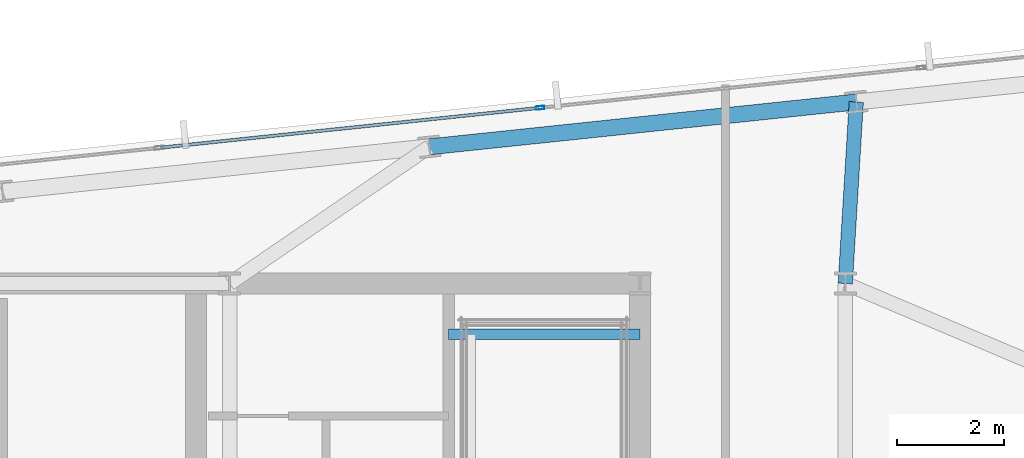
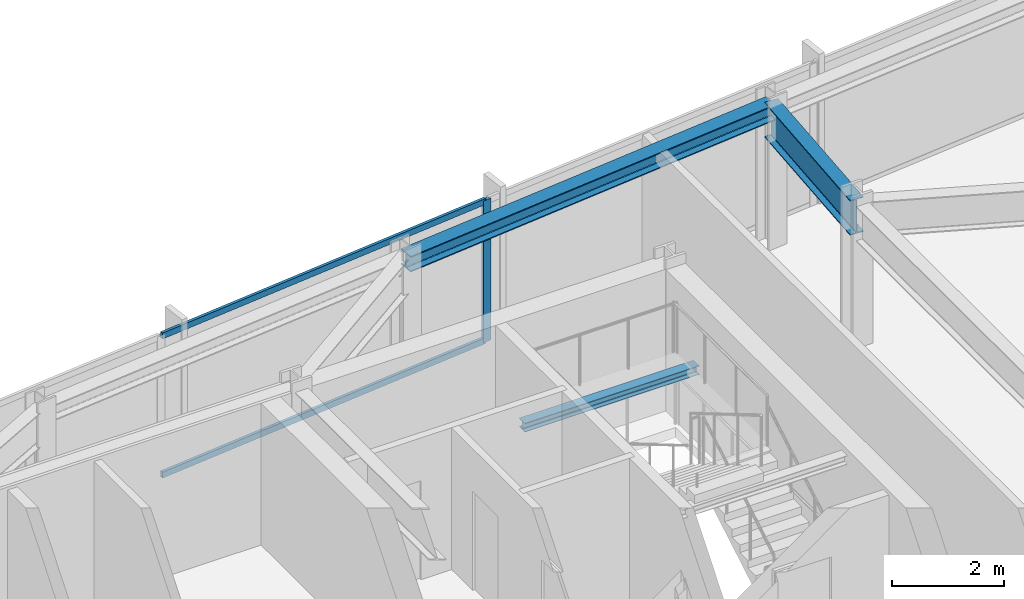
# One storey, part 23 of 33: 3 beams, 3 members, 1 element without a shape of its own.
"""IFC4 building model written with IfcOpenShell, lengths in metres."""

from ifc_helpers import new_model, si_unit, direction, frame, origin, origin_2d, place, context, subcontext, project, spatial, hollow_rectangle, i_section, extrude, material, material_profile, profile_set, type_object, element, aggregate, save


model = new_model("IFC4")

# Units and contexts
model_context = context("Model", 3, precision=1e-05, world=origin(), true_north=direction((0.0, 1.0)))
body_context = subcontext(model_context, "Body", "Model", "MODEL_VIEW")
ifc_project = project(units=[si_unit("LENGTHUNIT", "METRE"), si_unit("AREAUNIT", "SQUARE_METRE"), si_unit("VOLUMEUNIT", "CUBIC_METRE"), si_unit("PLANEANGLEUNIT", "RADIAN"), si_unit("MASSUNIT", "GRAM", prefix="KILO")], contexts=[model_context])

# Site, building, storey
site_placement = place(None, origin())
site = spatial("IfcSite", under=ifc_project, at=site_placement, CompositionType="ELEMENT")
building_placement = place(site_placement, origin())
building = spatial("IfcBuilding", under=site, at=building_placement, Name="Yelkora Congress Tower", CompositionType="ELEMENT")
storey_placement = place(building_placement, frame((0.0, 0.0, 240.800048828125)))
storey = spatial("IfcBuildingStorey", under=building, at=storey_placement, Name="L67", CompositionType="ELEMENT", Elevation=240.800048828125)

# Beams
ifc_material_1 = material(Name="Steel S355J2", Category="steel")
ifc_material_profile_1 = material_profile(ifc_material_1, i_section(OverallWidth=0.26708984375, OverallDepth=0.761962890625, WebThickness=0.014404296875, FlangeThickness=0.021484375, FilletRadius=0.01708984375, at=origin_2d()), Name="IPE 750x173")
ifc_profile_set_1 = profile_set([ifc_material_profile_1], Name="Steel S355J2")
beam_type_1 = type_object("IfcBeamType", Name="BM-GIRD-IPE750", PredefinedType="BEAM", material=ifc_profile_set_1)
beam_1_placement = place(storey_placement, frame((57.806640625, 49.5966796875, 2.698974609375), z_axis=(-0.060694337224, -0.998156399283, 0.0), x_axis=(0.998156399283, -0.060694337224, 0.0)))
element("IfcBeam", 1, at=beam_1_placement, inside=storey, type_object=beam_type_1, Name="L67 Primary Frame Girder N06", PredefinedType="BEAM", context=body_context, shape_type="SweptSolid", body=[
    extrude(i_section(OverallWidth=0.26708984375, OverallDepth=0.761962890625, WebThickness=0.014404296875, FlangeThickness=0.021484375, FilletRadius=0.01708984375, at=origin_2d()), origin(), (0.0, 0.0, 1.0), 3.403076171875),
])
ifc_material_profile_2 = material_profile(ifc_material_1, i_section(OverallWidth=0.199951171875, OverallDepth=0.18994140625, WebThickness=0.006591796875, FlangeThickness=0.010009765625, FilletRadius=0.01806640625, at=origin_2d()), Name="HEA 200")
ifc_profile_set_2 = profile_set([ifc_material_profile_2], Name="Steel S355J2")
beam_type_2 = type_object("IfcBeamType", Name="BM-LAND-HEA200", PredefinedType="BEAM", material=ifc_profile_set_2)
beam_2_placement = place(storey_placement, frame((50.179931640625, 45.25, 1.33447265625), z_axis=(1.0, 0.0, 0.0), x_axis=(0.0, 1.0, 0.0)))
element("IfcBeam", 2, at=beam_2_placement, inside=storey, type_object=beam_type_2, Name="ST-02 L67 Landing Header Beam 1N", PredefinedType="BEAM", context=body_context, shape_type="SweptSolid", body=[
    extrude(i_section(OverallWidth=0.199951171875, OverallDepth=0.18994140625, WebThickness=0.006591796875, FlangeThickness=0.010009765625, FilletRadius=0.01806640625, at=origin_2d()), origin(), (0.0, 0.0, 1.0), 3.580078125),
])
ifc_material_profile_3 = material_profile(ifc_material_1, i_section(OverallWidth=0.300048828125, OverallDepth=0.340087890625, WebThickness=0.011962890625, FlangeThickness=0.021484375, FilletRadius=0.027099609375, at=origin_2d()), Name="HEB 340")
ifc_profile_set_3 = profile_set([ifc_material_profile_3], Name="Steel S355J2")
beam_type_3 = type_object("IfcBeamType", Name="BM-SPAN-HEB340", PredefinedType="SPANDREL", material=ifc_profile_set_3)
beam_3_placement = place(storey_placement, frame((57.806640625, 49.5966796875, 2.909912109375), z_axis=(-0.994523256947, -0.104515507904, 0.0), x_axis=(0.104515507904, -0.994523256947, 0.0)))
element("IfcBeam", 3, at=beam_3_placement, inside=storey, type_object=beam_type_3, Name="L67 Perimeter Beam 14", PredefinedType="SPANDREL", context=body_context, shape_type="SweptSolid", body=[
    extrude(i_section(OverallWidth=0.300048828125, OverallDepth=0.340087890625, WebThickness=0.011962890625, FlangeThickness=0.021484375, FilletRadius=0.027099609375, at=origin_2d()), origin(), (0.0, 0.0, 1.0), 8.033203125),
])

# Curtain wall, members
ifc_material_2 = material(Name="Anodised aluminium and insulated glass", Category="aluminium")
curtain_wall_type = type_object("IfcCurtainWallType", Name="CW-SYS-B4", PredefinedType="NOTDEFINED", material=ifc_material_2)
curtain_wall_placement = place(storey_placement, origin())
curtain_wall = element("IfcCurtainWall", 4, at=curtain_wall_placement, inside=storey, type_object=curtain_wall_type, Name="L67 Unitised Curtain Wall 10 (3)", PredefinedType="NOTDEFINED")
ifc_material_3 = material(Name="Anodised aluminium 6063-T6", Category="aluminium")
ifc_material_profile_4 = material_profile(ifc_material_3, hollow_rectangle(XDim=0.06494140625, YDim=0.159912109375, WallThickness=0.00390625, at=origin_2d()), Name="ALU 65x160x4")
ifc_profile_set_4 = profile_set([ifc_material_profile_4], Name="Anodised aluminium 6063-T6")
member_type_1 = type_object("IfcMemberType", Name="MEM-ML-B4", PredefinedType="MULLION", material=ifc_profile_set_4)
member_1_placement = place(storey_placement, frame((51.888916015625, 49.487548828125, 0.0), z_axis=(0.0, 0.0, 1.0), x_axis=(-0.104527724021, 0.994521973066, 0.0)))
member_1 = element("IfcMember", 5, at=member_1_placement, type_object=member_type_1, Name="CW-B4 mullion 5", PredefinedType="MULLION", context=body_context, shape_type="SweptSolid", body=[
    extrude(hollow_rectangle(XDim=0.06494140625, YDim=0.159912109375, WallThickness=0.00390625, at=origin_2d()), origin(), (0.0, 0.0, 1.0), 3.079833984375),
])
ifc_material_profile_5 = material_profile(ifc_material_3, hollow_rectangle(XDim=0.06005859375, YDim=0.1298828125, WallThickness=0.00390625, at=origin_2d()), Name="ALU 60x130x4")
ifc_profile_set_5 = profile_set([ifc_material_profile_5], Name="Anodised aluminium 6063-T6")
member_type_2 = type_object("IfcMemberType", Name="MEM-TR-B4", PredefinedType="USERDEFINED", material=ifc_profile_set_5)
member_2_placement = place(storey_placement, frame((44.79052734375, 48.74169921875, 0.030029296875), z_axis=(0.99452200925, 0.104527379751, 0.0), x_axis=(-0.104527379751, 0.99452200925, 0.0)))
member_2 = element("IfcMember", 6, at=member_2_placement, type_object=member_type_2, Name="CW-B4 transom 4.1", ObjectType="TRANSOM", PredefinedType="USERDEFINED", context=body_context, shape_type="SweptSolid", body=[
    extrude(hollow_rectangle(XDim=0.06005859375, YDim=0.1298828125, WallThickness=0.00390625, at=origin_2d()), origin(), (0.0, 0.0, 1.0), 7.10498046875),
])
member_3_placement = place(storey_placement, frame((44.79052734375, 48.74169921875, 3.050048828125), z_axis=(0.99452200925, 0.104527379751, 0.0), x_axis=(-0.104527379751, 0.99452200925, 0.0)))
member_3 = element("IfcMember", 7, at=member_3_placement, type_object=member_type_2, Name="CW-B4 transom 4.2", ObjectType="TRANSOM", PredefinedType="USERDEFINED", context=body_context, shape_type="SweptSolid", body=[
    extrude(hollow_rectangle(XDim=0.06005859375, YDim=0.1298828125, WallThickness=0.00390625, at=origin_2d()), origin(), (0.0, 0.0, 1.0), 7.10498046875),
])
aggregate(curtain_wall, [member_1, member_2, member_3])

save(model, "model.ifc")
